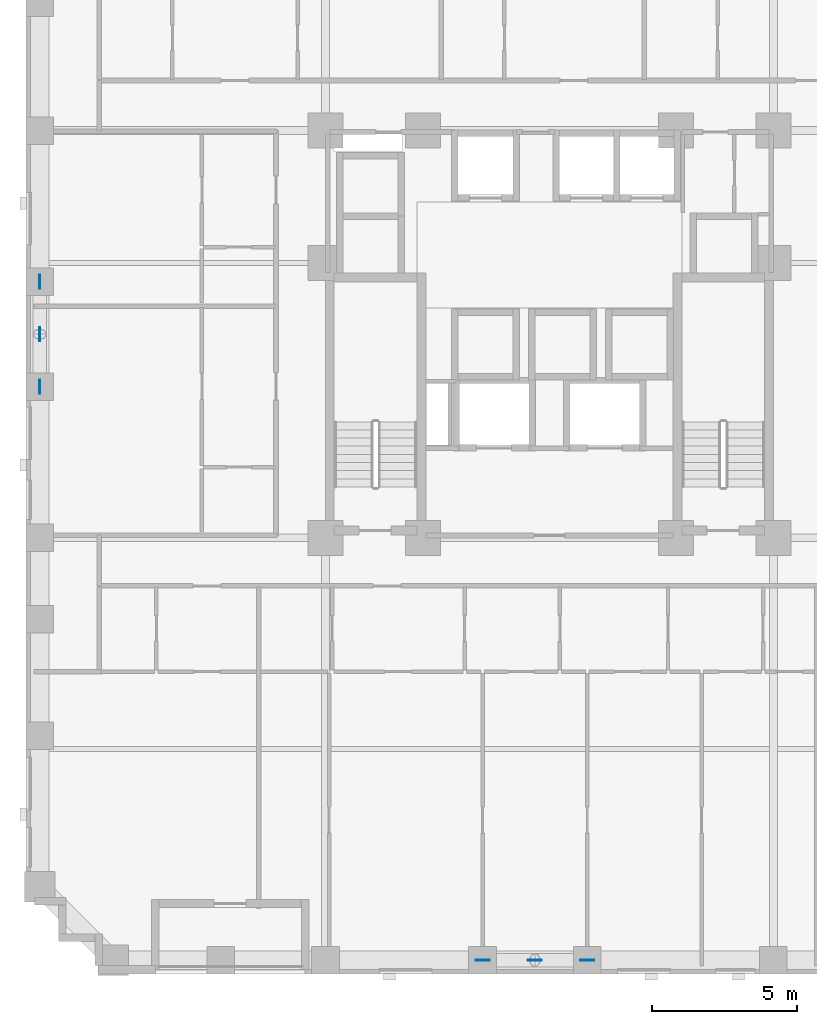
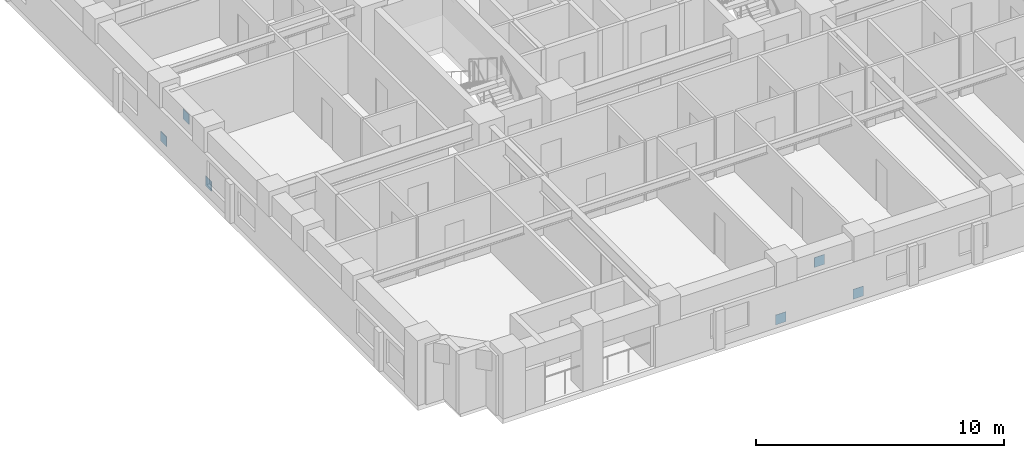
# One storey, part 9 of 13: 6 discrete accessories.
"""IFC4 building model written with IfcOpenShell, lengths in metres."""

from ifc_helpers import new_model, si_unit, derived_unit, direction, frame, origin, origin_2d, place, context, subcontext, project, spatial, rectangle, extrude, material, layer, layer_set, type_object, element, save


model = new_model("IFC4")

# Units and contexts
model_context = context("Model", 3, precision=1e-05, world=origin(), true_north=direction((0.0, 1.0)))
body_context = subcontext(model_context, "Body", "Model", "MODEL_VIEW")
ifc_project = project(units=[si_unit("LENGTHUNIT", "METRE"), si_unit("AREAUNIT", "SQUARE_METRE"), si_unit("VOLUMEUNIT", "CUBIC_METRE"), si_unit("PLANEANGLEUNIT", "RADIAN"), si_unit("MASSUNIT", "GRAM", prefix="KILO"), derived_unit("THERMALTRANSMITTANCEUNIT", [(si_unit("MASSUNIT", "GRAM", prefix="KILO"), 1), (si_unit("TIMEUNIT", "SECOND"), -3), (si_unit("THERMODYNAMICTEMPERATUREUNIT", "KELVIN"), -1)])], contexts=[model_context])

# Site, building, storey
site_placement = place(None, origin())
site = spatial("IfcSite", under=ifc_project, at=site_placement, CompositionType="ELEMENT")
building_placement = place(site_placement, origin())
building = spatial("IfcBuilding", under=site, at=building_placement, Name="Korrvale Station Residences", CompositionType="ELEMENT")
storey_placement = place(building_placement, frame((0.0, 0.0, 35.39990234375)))
storey = spatial("IfcBuildingStorey", under=building, at=storey_placement, Name="L08", CompositionType="ELEMENT", Elevation=35.39990234375)

# Discrete accessories
ifc_material = material(Name="Steel S355", Category="steel")
ifc_layer = layer(ifc_material, 0.02490234375, Name="Steel S355")
ifc_layer_set = layer_set([ifc_layer], Name="Steel S355")
discrete_accessory_type = type_object("IfcDiscreteAccessoryType", Name="ACC-GUSSET-25", PredefinedType="BRACKET", material=ifc_layer_set)
for number, where, z_axis, x_axis, name in (
    (1, (23.199951171875, 0.47998046875, -0.219970703125), (0.0, 0.0, 1.0), (1.0, 0.0, 0.0), "L08 S Brace End Gusset Connection A"),
    (2, (26.800048828125, 0.47998046875, -0.219970703125), (0.0, 0.0, 1.0), (1.0, 0.0, 0.0), "L08 S Brace End Gusset Connection B"),
    (3, (25.0, 0.47998046875, 1.97021484375), (0.0, 0.0, 1.0), (1.0, 0.0, 0.0), "L08 S Brace End Gusset Connection M"),
    (4, (7.97998046875, 20.199951171875, -0.219970703125), (0.0, 0.0, 1.0), (0.0, 1.0, 0.0), "L08 W Brace End Gusset Connection A"),
    (5, (7.97998046875, 23.800048828125, -0.219970703125), (0.0, 0.0, 1.0), (0.0, 1.0, 0.0), "L08 W Brace End Gusset Connection B"),
    (6, (7.97998046875, 22.0, 1.97021484375), (0.0, 0.0, 1.0), (0.0, 1.0, 0.0), "L08 W Brace End Gusset Connection M"),
):
    element("IfcDiscreteAccessory", number, at=place(storey_placement, frame(where, z_axis=z_axis, x_axis=x_axis)), inside=storey, type_object=discrete_accessory_type, Name=name, PredefinedType="BRACKET", context=body_context, shape_type="SweptSolid", body=[
        extrude(rectangle(XDim=0.47998046875, YDim=0.02490234375, at=origin_2d()), origin(), (0.0, 0.0, 1.0), 0.47998046875),
    ])

save(model, "model.ifc")
